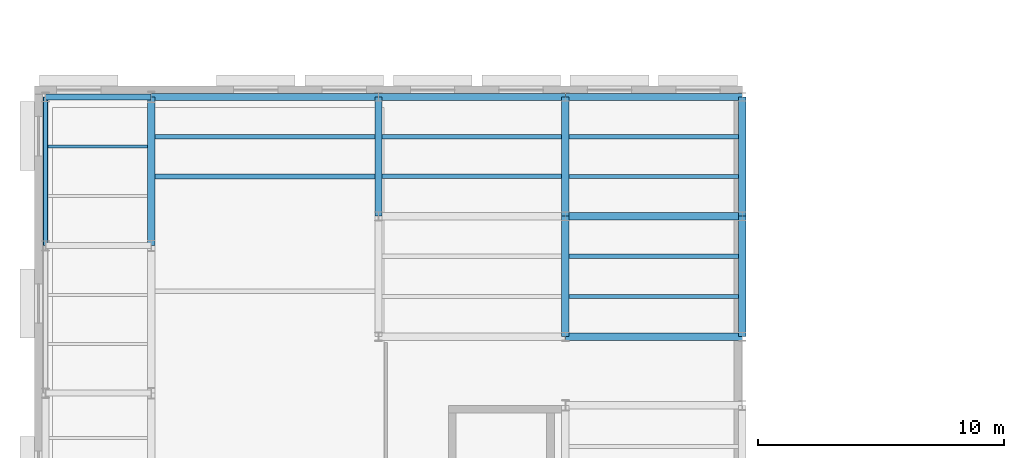
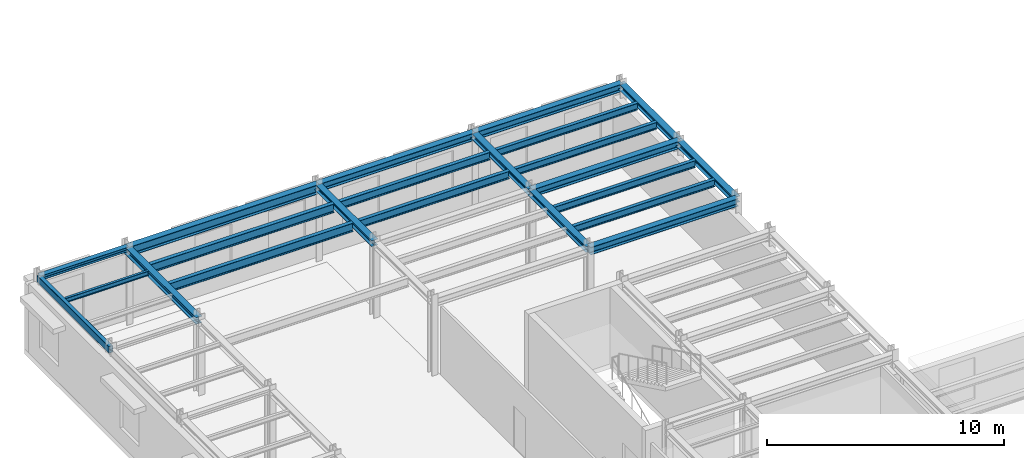
# One storey, part 35 of 75: 22 beams.
"""IFC4 building model written with IfcOpenShell, lengths in metres."""

from ifc_helpers import new_model, si_unit, direction, frame, origin, origin_2d, place, context, subcontext, project, spatial, hollow_rectangle, i_section, extrude, material, material_profile, profile_set, type_object, element, save


model = new_model("IFC4")

# Units and contexts
model_context = context("Model", 3, precision=1e-05, world=origin(), true_north=direction((0.0, 1.0)))
body_context = subcontext(model_context, "Body", "Model", "MODEL_VIEW")
ifc_project = project(units=[si_unit("LENGTHUNIT", "METRE"), si_unit("AREAUNIT", "SQUARE_METRE"), si_unit("VOLUMEUNIT", "CUBIC_METRE"), si_unit("PLANEANGLEUNIT", "RADIAN"), si_unit("MASSUNIT", "GRAM", prefix="KILO")], contexts=[model_context])

# Site, building, storey
site_placement = place(None, origin())
site = spatial("IfcSite", under=ifc_project, at=site_placement, CompositionType="ELEMENT")
building_placement = place(site_placement, origin())
building = spatial("IfcBuilding", under=site, at=building_placement, Name="Kolvaren Corner Interchange", CompositionType="ELEMENT")
storey_placement = place(building_placement, frame((0.0, 0.0, 10.5)))
storey = spatial("IfcBuildingStorey", under=building, at=storey_placement, Name="L03", CompositionType="ELEMENT", Elevation=10.5)

# Beams
ifc_material_1 = material(Name="Steel S355", Category="steel")
ifc_material_profile_1 = material_profile(ifc_material_1, i_section(OverallWidth=0.239990234375, OverallDepth=0.22998046875, WebThickness=0.007568359375, FlangeThickness=0.011962890625, FilletRadius=0.02099609375, at=origin_2d()), Name="HEA 240")
ifc_profile_set_1 = profile_set([ifc_material_profile_1], Name="Steel S355")
beam_type_1 = type_object("IfcBeamType", Name="BM-HEA240", PredefinedType="BEAM", material=ifc_profile_set_1)
beam_1_placement = place(storey_placement, frame((0.449951171875, 83.550048828125, 3.81494140625), z_axis=(1.0, 0.0, 0.0), x_axis=(0.0, 1.0, 0.0)))
element("IfcBeam", 1, at=beam_1_placement, inside=storey, type_object=beam_type_1, Name="Storey L03 Grid X Primary Girder 0965", PredefinedType="BEAM", context=body_context, shape_type="SweptSolid", body=[
    extrude(i_section(OverallWidth=0.239990234375, OverallDepth=0.22998046875, WebThickness=0.007568359375, FlangeThickness=0.011962890625, FilletRadius=0.02099609375, at=origin_2d()), origin(), (0.0, 0.0, 1.0), 4.300048828125),
])
ifc_material_2 = material(Name="Steel S355", Category="steel")
ifc_material_profile_2 = material_profile(ifc_material_2, i_section(OverallWidth=0.300048828125, OverallDepth=0.31005859375, WebThickness=0.009033203125, FlangeThickness=0.015380859375, FilletRadius=0.027099609375, at=origin_2d()), Name="HEA 320")
ifc_profile_set_2 = profile_set([ifc_material_profile_2], Name="Steel S355")
beam_type_2 = type_object("IfcBeamType", Name="BM-HEA320", PredefinedType="BEAM", material=ifc_profile_set_2)
beam_2_placement = place(storey_placement, frame((14.0, 78.699951171875, 3.77490234375), z_axis=(0.0, 1.0, 0.0), x_axis=(-1.0, 0.0, 0.0)))
element("IfcBeam", 2, at=beam_2_placement, inside=storey, type_object=beam_type_2, Name="Storey L03 Grid Y Primary Girder 1003", PredefinedType="BEAM", context=body_context, shape_type="SweptSolid", body=[
    extrude(i_section(OverallWidth=0.300048828125, OverallDepth=0.31005859375, WebThickness=0.009033203125, FlangeThickness=0.015380859375, FilletRadius=0.027099609375, at=origin_2d()), origin(), (0.0, 0.0, 1.0), 4.85009765625),
])
beam_3_placement = place(storey_placement, frame((21.60009765625, 73.800048828125, 3.77490234375), z_axis=(0.0, 1.0, 0.0), x_axis=(-1.0, 0.0, 0.0)))
element("IfcBeam", 3, at=beam_3_placement, inside=storey, type_object=beam_type_2, Name="Storey L03 Grid Y Primary Girder 1008", PredefinedType="BEAM", context=body_context, shape_type="SweptSolid", body=[
    extrude(i_section(OverallWidth=0.300048828125, OverallDepth=0.31005859375, WebThickness=0.009033203125, FlangeThickness=0.015380859375, FilletRadius=0.027099609375, at=origin_2d()), origin(), (0.0, 0.0, 1.0), 4.89990234375),
])
beam_4_placement = place(storey_placement, frame((21.60009765625, 78.699951171875, 3.77490234375), z_axis=(0.0, 1.0, 0.0), x_axis=(-1.0, 0.0, 0.0)))
element("IfcBeam", 4, at=beam_4_placement, inside=storey, type_object=beam_type_2, Name="Storey L03 Grid Y Primary Girder 1009", PredefinedType="BEAM", context=body_context, shape_type="SweptSolid", body=[
    extrude(i_section(OverallWidth=0.300048828125, OverallDepth=0.31005859375, WebThickness=0.009033203125, FlangeThickness=0.015380859375, FilletRadius=0.027099609375, at=origin_2d()), origin(), (0.0, 0.0, 1.0), 4.85009765625),
])
beam_5_placement = place(storey_placement, frame((28.800048828125, 73.800048828125, 3.77490234375), z_axis=(0.0, 1.0, 0.0), x_axis=(-1.0, 0.0, 0.0)))
element("IfcBeam", 5, at=beam_5_placement, inside=storey, type_object=beam_type_2, Name="Storey L03 Grid Y Primary Girder 1014", PredefinedType="BEAM", context=body_context, shape_type="SweptSolid", body=[
    extrude(i_section(OverallWidth=0.300048828125, OverallDepth=0.31005859375, WebThickness=0.009033203125, FlangeThickness=0.015380859375, FilletRadius=0.027099609375, at=origin_2d()), origin(), (0.0, 0.0, 1.0), 4.89990234375),
])
beam_6_placement = place(storey_placement, frame((28.800048828125, 78.699951171875, 3.77490234375), z_axis=(0.0, 1.0, 0.0), x_axis=(-1.0, 0.0, 0.0)))
element("IfcBeam", 6, at=beam_6_placement, inside=storey, type_object=beam_type_2, Name="Storey L03 Grid Y Primary Girder 1015", PredefinedType="BEAM", context=body_context, shape_type="SweptSolid", body=[
    extrude(i_section(OverallWidth=0.300048828125, OverallDepth=0.31005859375, WebThickness=0.009033203125, FlangeThickness=0.015380859375, FilletRadius=0.027099609375, at=origin_2d()), origin(), (0.0, 0.0, 1.0), 4.85009765625),
])
ifc_material_3 = material(Name="Steel S355", Category="steel")
ifc_material_profile_3 = material_profile(ifc_material_3, i_section(OverallWidth=0.300048828125, OverallDepth=0.35009765625, WebThickness=0.010009765625, FlangeThickness=0.017578125, FilletRadius=0.027099609375, at=origin_2d()), Name="HEA 360")
ifc_profile_set_3 = profile_set([ifc_material_profile_3], Name="Steel S355")
beam_type_3 = type_object("IfcBeamType", Name="BM-HEA360", PredefinedType="BEAM", material=ifc_profile_set_3)
beam_7_placement = place(storey_placement, frame((4.75, 77.5, 3.7548828125), z_axis=(0.0, 1.0, 0.0), x_axis=(-1.0, 0.0, 0.0)))
element("IfcBeam", 7, at=beam_7_placement, inside=storey, type_object=beam_type_3, Name="Storey L03 Grid Y Primary Girder 1001", PredefinedType="BEAM", context=body_context, shape_type="SweptSolid", body=[
    extrude(i_section(OverallWidth=0.300048828125, OverallDepth=0.35009765625, WebThickness=0.010009765625, FlangeThickness=0.017578125, FilletRadius=0.027099609375, at=origin_2d()), origin(), (0.0, 0.0, 1.0), 6.050048828125),
])
ifc_material_4 = material(Name="Steel S355", Category="steel")
ifc_material_profile_4 = material_profile(ifc_material_4, i_section(OverallWidth=0.300048828125, OverallDepth=0.389892578125, WebThickness=0.010986328125, FlangeThickness=0.01904296875, FilletRadius=0.027099609375, at=origin_2d()), Name="HEA 400")
ifc_profile_set_4 = profile_set([ifc_material_profile_4], Name="Steel S355")
beam_type_4 = type_object("IfcBeamType", Name="BM-HEA400", PredefinedType="BEAM", material=ifc_profile_set_4)
for number, where, z_axis, x_axis, name in (
    (8, (21.60009765625, 73.800048828125, 3.735107421875), (1.0, 0.0, 0.0), (0.0, 1.0, 0.0), "Storey L03 Grid X Primary Girder 0961"),
    (9, (21.60009765625, 78.699951171875, 3.735107421875), (1.0, 0.0, 0.0), (0.0, 1.0, 0.0), "Storey L03 Grid X Primary Girder 0964"),
):
    element("IfcBeam", number, at=place(storey_placement, frame(where, z_axis=z_axis, x_axis=x_axis)), inside=storey, type_object=beam_type_4, Name=name, PredefinedType="BEAM", context=body_context, shape_type="SweptSolid", body=[
        extrude(i_section(OverallWidth=0.300048828125, OverallDepth=0.389892578125, WebThickness=0.010986328125, FlangeThickness=0.01904296875, FilletRadius=0.027099609375, at=origin_2d()), origin(), (0.0, 0.0, 1.0), 7.199951171875),
    ])
beam_8_placement = place(storey_placement, frame((14.0, 83.550048828125, 3.735107421875), z_axis=(1.0, 0.0, 0.0), x_axis=(0.0, 1.0, 0.0)))
element("IfcBeam", 10, at=beam_8_placement, inside=storey, type_object=beam_type_4, Name="Storey L03 Grid X Primary Girder 0967", PredefinedType="BEAM", context=body_context, shape_type="SweptSolid", body=[
    extrude(i_section(OverallWidth=0.300048828125, OverallDepth=0.389892578125, WebThickness=0.010986328125, FlangeThickness=0.01904296875, FilletRadius=0.027099609375, at=origin_2d()), origin(), (0.0, 0.0, 1.0), 7.60009765625),
])
beam_9_placement = place(storey_placement, frame((21.60009765625, 83.550048828125, 3.735107421875), z_axis=(1.0, 0.0, 0.0), x_axis=(0.0, 1.0, 0.0)))
element("IfcBeam", 11, at=beam_9_placement, inside=storey, type_object=beam_type_4, Name="Storey L03 Grid X Primary Girder 0968", PredefinedType="BEAM", context=body_context, shape_type="SweptSolid", body=[
    extrude(i_section(OverallWidth=0.300048828125, OverallDepth=0.389892578125, WebThickness=0.010986328125, FlangeThickness=0.01904296875, FilletRadius=0.027099609375, at=origin_2d()), origin(), (0.0, 0.0, 1.0), 7.199951171875),
])
ifc_material_5 = material(Name="Steel S355", Category="steel")
ifc_material_profile_5 = material_profile(ifc_material_5, i_section(OverallWidth=0.300048828125, OverallDepth=0.489990234375, WebThickness=0.011962890625, FlangeThickness=0.02294921875, FilletRadius=0.027099609375, at=origin_2d()), Name="HEA 500")
ifc_profile_set_5 = profile_set([ifc_material_profile_5], Name="Steel S355")
beam_type_5 = type_object("IfcBeamType", Name="BM-HEA500", PredefinedType="BEAM", material=ifc_profile_set_5)
beam_10_placement = place(storey_placement, frame((4.75, 83.550048828125, 3.68505859375), z_axis=(1.0, 0.0, 0.0), x_axis=(0.0, 1.0, 0.0)))
element("IfcBeam", 12, at=beam_10_placement, inside=storey, type_object=beam_type_5, Name="Storey L03 Grid X Primary Girder 0966", PredefinedType="BEAM", context=body_context, shape_type="SweptSolid", body=[
    extrude(i_section(OverallWidth=0.300048828125, OverallDepth=0.489990234375, WebThickness=0.011962890625, FlangeThickness=0.02294921875, FilletRadius=0.027099609375, at=origin_2d()), origin(), (0.0, 0.0, 1.0), 9.25),
])
ifc_material_6 = material(Name="Steel S355", Category="steel")
ifc_material_profile_6 = material_profile(ifc_material_6, i_section(OverallWidth=0.1201171875, OverallDepth=0.239990234375, WebThickness=0.006103515625, FlangeThickness=0.009765625, FilletRadius=0.014892578125, at=origin_2d()), Name="IPE 240")
ifc_profile_set_6 = profile_set([ifc_material_profile_6], Name="Steel S355")
beam_type_6 = type_object("IfcBeamType", Name="JS-IPE240", PredefinedType="JOIST", material=ifc_profile_set_6)
beam_11_placement = place(storey_placement, frame((0.550048828125, 81.533203125, 3.81005859375), z_axis=(1.0, 0.0, 0.0), x_axis=(0.0, 1.0, 0.0)))
element("IfcBeam", 13, at=beam_11_placement, inside=storey, type_object=beam_type_6, Name="Storey L03 Composite Floor Joist 0860", PredefinedType="JOIST", context=body_context, shape_type="SweptSolid", body=[
    extrude(i_section(OverallWidth=0.1201171875, OverallDepth=0.239990234375, WebThickness=0.006103515625, FlangeThickness=0.009765625, FilletRadius=0.014892578125, at=origin_2d()), origin(), (0.0, 0.0, 1.0), 4.050048828125),
])
ifc_material_7 = material(Name="Steel S355", Category="steel")
ifc_material_profile_7 = material_profile(ifc_material_7, i_section(OverallWidth=0.169921875, OverallDepth=0.360107421875, WebThickness=0.008056640625, FlangeThickness=0.0126953125, FilletRadius=0.01806640625, at=origin_2d()), Name="IPE 360")
ifc_profile_set_7 = profile_set([ifc_material_profile_7], Name="Steel S355")
beam_type_7 = type_object("IfcBeamType", Name="JS-IPE360", PredefinedType="JOIST", material=ifc_profile_set_7)
for number, where, z_axis, x_axis, name in (
    (14, (21.75, 75.433349609375, 3.75), (1.0, 0.0, 0.0), (0.0, 1.0, 0.0), "Storey L03 Composite Floor Joist 0876"),
    (15, (21.75, 77.066650390625, 3.75), (1.0, 0.0, 0.0), (0.0, 1.0, 0.0), "Storey L03 Composite Floor Joist 0877"),
    (16, (21.75, 80.316650390625, 3.75), (1.0, 0.0, 0.0), (0.0, 1.0, 0.0), "Storey L03 Composite Floor Joist 0878"),
    (17, (21.75, 81.933349609375, 3.75), (1.0, 0.0, 0.0), (0.0, 1.0, 0.0), "Storey L03 Composite Floor Joist 0879"),
):
    element("IfcBeam", number, at=place(storey_placement, frame(where, z_axis=z_axis, x_axis=x_axis)), inside=storey, type_object=beam_type_7, Name=name, PredefinedType="JOIST", context=body_context, shape_type="SweptSolid", body=[
        extrude(i_section(OverallWidth=0.169921875, OverallDepth=0.360107421875, WebThickness=0.008056640625, FlangeThickness=0.0126953125, FilletRadius=0.01806640625, at=origin_2d()), origin(), (0.0, 0.0, 1.0), 6.89990234375),
    ])
ifc_material_8 = material(Name="Steel S355", Category="steel")
ifc_material_profile_8 = material_profile(ifc_material_8, i_section(OverallWidth=0.179931640625, OverallDepth=0.39990234375, WebThickness=0.008544921875, FlangeThickness=0.013427734375, FilletRadius=0.02099609375, at=origin_2d()), Name="IPE 400")
ifc_profile_set_8 = profile_set([ifc_material_profile_8], Name="Steel S355")
beam_type_8 = type_object("IfcBeamType", Name="JS-IPE400", PredefinedType="JOIST", material=ifc_profile_set_8)
for number, where, z_axis, x_axis, name in (
    (18, (14.14990234375, 80.316650390625, 3.72998046875), (1.0, 0.0, 0.0), (0.0, 1.0, 0.0), "Storey L03 Composite Floor Joist 0866"),
    (19, (14.14990234375, 81.933349609375, 3.72998046875), (1.0, 0.0, 0.0), (0.0, 1.0, 0.0), "Storey L03 Composite Floor Joist 0867"),
):
    element("IfcBeam", number, at=place(storey_placement, frame(where, z_axis=z_axis, x_axis=x_axis)), inside=storey, type_object=beam_type_8, Name=name, PredefinedType="JOIST", context=body_context, shape_type="SweptSolid", body=[
        extrude(i_section(OverallWidth=0.179931640625, OverallDepth=0.39990234375, WebThickness=0.008544921875, FlangeThickness=0.013427734375, FilletRadius=0.02099609375, at=origin_2d()), origin(), (0.0, 0.0, 1.0), 7.300048828125),
    ])
ifc_material_9 = material(Name="Steel S355", Category="steel")
ifc_material_profile_9 = material_profile(ifc_material_9, i_section(OverallWidth=0.18994140625, OverallDepth=0.449951171875, WebThickness=0.009521484375, FlangeThickness=0.0146484375, FilletRadius=0.02099609375, at=origin_2d()), Name="IPE 450")
ifc_profile_set_9 = profile_set([ifc_material_profile_9], Name="Steel S355")
beam_type_9 = type_object("IfcBeamType", Name="JS-IPE450", PredefinedType="JOIST", material=ifc_profile_set_9)
for number, where, z_axis, x_axis, name in (
    (20, (4.89990234375, 80.316650390625, 3.705078125), (1.0, 0.0, 0.0), (0.0, 1.0, 0.0), "Storey L03 Composite Floor Joist 0862"),
    (21, (4.89990234375, 81.933349609375, 3.705078125), (1.0, 0.0, 0.0), (0.0, 1.0, 0.0), "Storey L03 Composite Floor Joist 0863"),
):
    element("IfcBeam", number, at=place(storey_placement, frame(where, z_axis=z_axis, x_axis=x_axis)), inside=storey, type_object=beam_type_9, Name=name, PredefinedType="JOIST", context=body_context, shape_type="SweptSolid", body=[
        extrude(i_section(OverallWidth=0.18994140625, OverallDepth=0.449951171875, WebThickness=0.009521484375, FlangeThickness=0.0146484375, FilletRadius=0.02099609375, at=origin_2d()), origin(), (0.0, 0.0, 1.0), 8.9501953125),
    ])
ifc_material_10 = material(Name="Steel S355", Category="steel")
ifc_material_profile_10 = material_profile(ifc_material_10, hollow_rectangle(XDim=0.199951171875, YDim=0.35009765625, WallThickness=0.012451171875, InnerFilletRadius=0.012451171875, OuterFilletRadius=0.02490234375, at=origin_2d()), Name="RHS 350x200x12.5")
ifc_profile_set_10 = profile_set([ifc_material_profile_10], Name="Steel S355")
beam_type_10 = type_object("IfcBeamType", Name="SP-RHS350", PredefinedType="SPANDREL", material=ifc_profile_set_10)
beam_12_placement = place(storey_placement, frame((0.449951171875, 77.5, 3.7548828125), z_axis=(0.0, 1.0, 0.0), x_axis=(-1.0, 0.0, 0.0)))
element("IfcBeam", 22, at=beam_12_placement, inside=storey, type_object=beam_type_10, Name="Storey L03 Grid Y Primary Girder 0987", PredefinedType="SPANDREL", context=body_context, shape_type="SweptSolid", body=[
    extrude(hollow_rectangle(XDim=0.199951171875, YDim=0.35009765625, WallThickness=0.012451171875, InnerFilletRadius=0.012451171875, OuterFilletRadius=0.02490234375, at=origin_2d()), origin(), (0.0, 0.0, 1.0), 6.050048828125),
])

save(model, "model.ifc")
